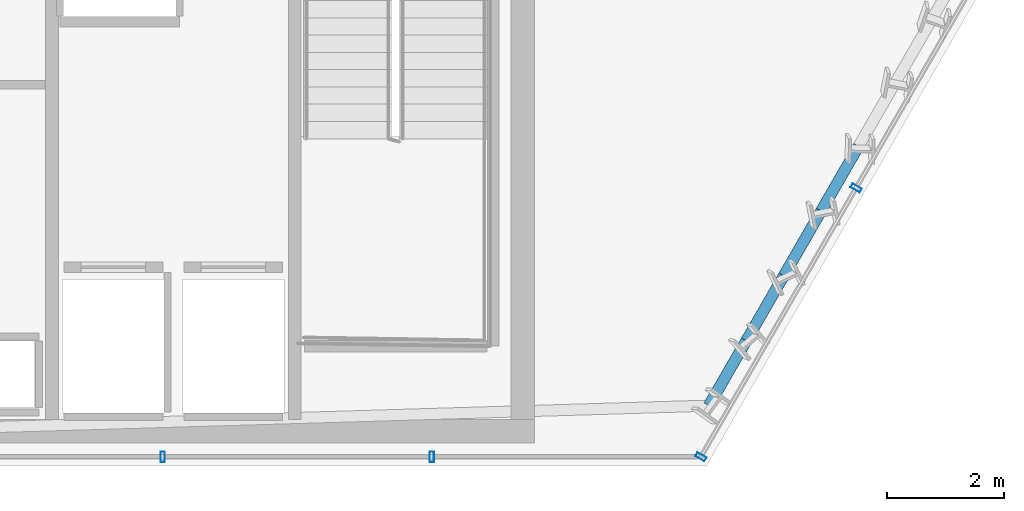
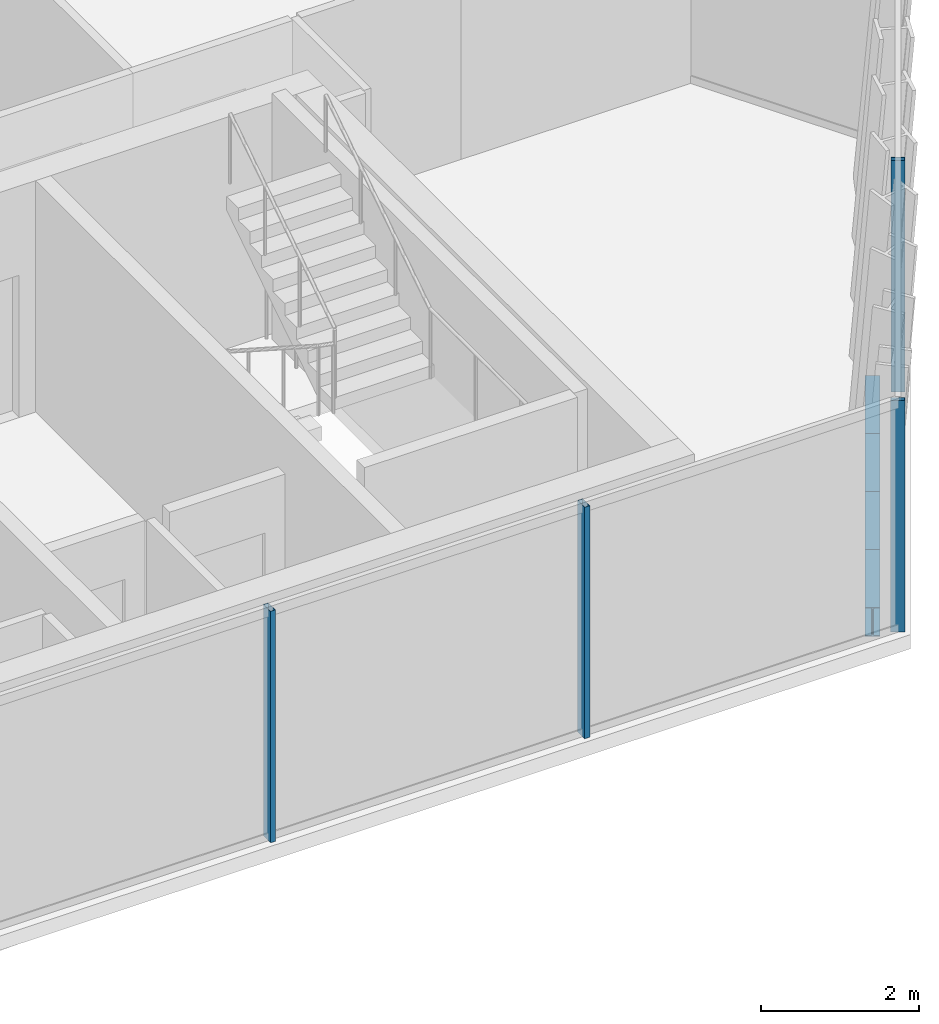
# One storey, part 15 of 33: 4 beams, 4 members, 2 elements without a shape of their own.
"""IFC4 building model written with IfcOpenShell, lengths in metres."""

from ifc_helpers import new_model, si_unit, direction, frame, origin, origin_2d, place, context, subcontext, project, spatial, hollow_rectangle, i_section, extrude, material, layer, layer_set, material_profile, profile_set, type_object, element, aggregate, save


model = new_model("IFC4")

# Units and contexts
model_context = context("Model", 3, precision=1e-05, world=origin(), true_north=direction((0.0, 1.0)))
body_context = subcontext(model_context, "Body", "Model", "MODEL_VIEW")
ifc_project = project(units=[si_unit("LENGTHUNIT", "METRE"), si_unit("AREAUNIT", "SQUARE_METRE"), si_unit("VOLUMEUNIT", "CUBIC_METRE"), si_unit("PLANEANGLEUNIT", "RADIAN"), si_unit("MASSUNIT", "GRAM", prefix="KILO")], contexts=[model_context])

# Site, building, storey
site_placement = place(None, origin())
site = spatial("IfcSite", under=ifc_project, at=site_placement, CompositionType="ELEMENT")
building_placement = place(site_placement, origin())
building = spatial("IfcBuilding", under=site, at=building_placement, Name="Ndaravel Arena Tower", CompositionType="ELEMENT")
storey_placement = place(building_placement, frame((0.0, 0.0, 168.800048828125)))
storey = spatial("IfcBuildingStorey", under=building, at=storey_placement, Name="L40", CompositionType="ELEMENT", Elevation=168.800048828125)

# Beams
ifc_material_1 = material(Name="Steel S355", Category="steel")
ifc_material_profile_1 = material_profile(ifc_material_1, i_section(OverallWidth=0.18994140625, OverallDepth=0.449951171875, WebThickness=0.009521484375, FlangeThickness=0.0146484375, FilletRadius=0.02099609375, at=origin_2d()), Name="IPE 450")
ifc_profile_set_1 = profile_set([ifc_material_profile_1], Name="Steel S355")
beam_type = type_object("IfcBeamType", Name="BM-SPAN-IPE450", PredefinedType="SPANDREL", material=ifc_profile_set_1)
beam_1_placement = place(storey_placement, frame((60.52587890625, 6.0341796875, -0.445068359375), z_axis=(0.499893060024, 0.866087136806, 0.0), x_axis=(-0.866087136806, 0.499893060024, 0.0)))
element("IfcBeam", 1, at=beam_1_placement, inside=storey, type_object=beam_type, Name="L40 Perimeter Spandrel Beam SP-02", PredefinedType="SPANDREL", context=body_context, shape_type="SweptSolid", body=[
    extrude(i_section(OverallWidth=0.18994140625, OverallDepth=0.449951171875, WebThickness=0.009521484375, FlangeThickness=0.0146484375, FilletRadius=0.02099609375, at=origin_2d()), origin(), (0.0, 0.0, 1.0), 1.280029296875),
])
beam_2_placement = place(storey_placement, frame((61.165771484375, 7.142822265625, -0.445068359375), z_axis=(0.500036104519, 0.866004557827, 0.0), x_axis=(-0.866004557827, 0.500036104519, 0.0)))
element("IfcBeam", 2, at=beam_2_placement, inside=storey, type_object=beam_type, Name="L40 Perimeter Spandrel Beam SP-03", PredefinedType="SPANDREL", context=body_context, shape_type="SweptSolid", body=[
    extrude(i_section(OverallWidth=0.18994140625, OverallDepth=0.449951171875, WebThickness=0.009521484375, FlangeThickness=0.0146484375, FilletRadius=0.02099609375, at=origin_2d()), origin(), (0.0, 0.0, 1.0), 1.2802734375),
])
beam_3_placement = place(storey_placement, frame((61.805908203125, 8.25146484375, -0.445068359375), z_axis=(0.499975646431, 0.866039463868, 0.0), x_axis=(-0.866039463868, 0.499975646431, 0.0)))
element("IfcBeam", 3, at=beam_3_placement, inside=storey, type_object=beam_type, Name="L40 Perimeter Spandrel Beam SP-04", PredefinedType="SPANDREL", context=body_context, shape_type="SweptSolid", body=[
    extrude(i_section(OverallWidth=0.18994140625, OverallDepth=0.449951171875, WebThickness=0.009521484375, FlangeThickness=0.0146484375, FilletRadius=0.02099609375, at=origin_2d()), origin(), (0.0, 0.0, 1.0), 1.27978515625),
])
beam_4_placement = place(storey_placement, frame((62.44580078125, 9.35986328125, -0.445068359375), z_axis=(0.500036104519, 0.866004557827, 0.0), x_axis=(-0.866004557827, 0.500036104519, 0.0)))
element("IfcBeam", 4, at=beam_4_placement, inside=storey, type_object=beam_type, Name="L40 Perimeter Spandrel Beam SP-05", PredefinedType="SPANDREL", context=body_context, shape_type="SweptSolid", body=[
    extrude(i_section(OverallWidth=0.18994140625, OverallDepth=0.449951171875, WebThickness=0.009521484375, FlangeThickness=0.0146484375, FilletRadius=0.02099609375, at=origin_2d()), origin(), (0.0, 0.0, 1.0), 1.2802734375),
])

# Curtain wall, members
ifc_material_2 = material(Name="Aluminium", Category="aluminium")
ifc_layer_1 = layer(ifc_material_2, 0.179931640625)
ifc_layer_set_1 = layer_set([ifc_layer_1], Name="Aluminium")
curtain_wall_type_1 = type_object("IfcCurtainWallType", Name="CW-SYS-03", PredefinedType="NOTDEFINED", material=ifc_layer_set_1)
curtain_wall_1_placement = place(storey_placement, origin())
curtain_wall_1 = element("IfcCurtainWall", 5, at=curtain_wall_1_placement, inside=storey, type_object=curtain_wall_type_1, Name="L40 Faceted Crystal Curtain Wall CW-L40-E01", PredefinedType="NOTDEFINED")
ifc_material_3 = material(Name="Aluminium", Category="aluminium")
ifc_material_profile_2 = material_profile(ifc_material_3, hollow_rectangle(XDim=0.074951171875, YDim=0.179931640625, WallThickness=0.00390625, at=origin_2d()), Name="CW MULLION 75x180x4")
ifc_profile_set_2 = profile_set([ifc_material_profile_2], Name="Aluminium")
member_type = type_object("IfcMemberType", Name="MEM-CW-MUL180", PredefinedType="MULLION", material=ifc_profile_set_2)
member_1_placement = place(storey_placement, frame((51.1953125, 5.159912109375, 0.0), z_axis=(0.0, 0.0, 1.0), x_axis=(1.0, 0.0, 0.0)))
member_1 = element("IfcMember", 6, at=member_1_placement, type_object=member_type, Name="CW-L40-E01 Mullion 06", PredefinedType="MULLION", context=body_context, shape_type="SweptSolid", body=[
    extrude(hollow_rectangle(XDim=0.074951171875, YDim=0.179931640625, WallThickness=0.00390625, at=origin_2d()), origin(), (0.0, 0.0, 1.0), 3.579833984375),
])
member_2_placement = place(storey_placement, frame((55.79296875, 5.159912109375, 0.0), z_axis=(0.0, 0.0, 1.0), x_axis=(1.0, 0.0, 0.0)))
member_2 = element("IfcMember", 7, at=member_2_placement, type_object=member_type, Name="CW-L40-E01 Mullion 07", PredefinedType="MULLION", context=body_context, shape_type="SweptSolid", body=[
    extrude(hollow_rectangle(XDim=0.074951171875, YDim=0.179931640625, WallThickness=0.00390625, at=origin_2d()), origin(), (0.0, 0.0, 1.0), 3.579833984375),
])
aggregate(curtain_wall_1, [member_1, member_2])

ifc_material_4 = material(Name="Aluminium", Category="aluminium")
ifc_layer_2 = layer(ifc_material_4, 0.179931640625)
ifc_layer_set_2 = layer_set([ifc_layer_2], Name="Aluminium")
curtain_wall_type_2 = type_object("IfcCurtainWallType", Name="CW-SYS-01", PredefinedType="NOTDEFINED", material=ifc_layer_set_2)
curtain_wall_2_placement = place(storey_placement, origin())
curtain_wall_2 = element("IfcCurtainWall", 8, at=curtain_wall_2_placement, inside=storey, type_object=curtain_wall_type_2, Name="L40 Faceted Crystal Curtain Wall CW-L40-E02", PredefinedType="NOTDEFINED")
member_3_placement = place(storey_placement, frame((60.390380859375, 5.159912109375, 0.0), z_axis=(0.0, 0.0, 1.0), x_axis=(0.5, 0.866025403784, 0.0)))
member_3 = element("IfcMember", 9, at=member_3_placement, type_object=member_type, Name="CW-L40-E02 Mullion 00", PredefinedType="MULLION", context=body_context, shape_type="SweptSolid", body=[
    extrude(hollow_rectangle(XDim=0.074951171875, YDim=0.179931640625, WallThickness=0.00390625, at=origin_2d()), origin(), (0.0, 0.0, 1.0), 3.579833984375),
])
member_4_placement = place(storey_placement, frame((63.04296875, 9.754150390625, 0.0), z_axis=(0.0, 0.0, 1.0), x_axis=(0.5, 0.866025403784, 0.0)))
member_4 = element("IfcMember", 10, at=member_4_placement, type_object=member_type, Name="CW-L40-E02 Mullion 01", PredefinedType="MULLION", context=body_context, shape_type="SweptSolid", body=[
    extrude(hollow_rectangle(XDim=0.074951171875, YDim=0.179931640625, WallThickness=0.00390625, at=origin_2d()), origin(), (0.0, 0.0, 1.0), 3.579833984375),
])
aggregate(curtain_wall_2, [member_3, member_4])

save(model, "model.ifc")
